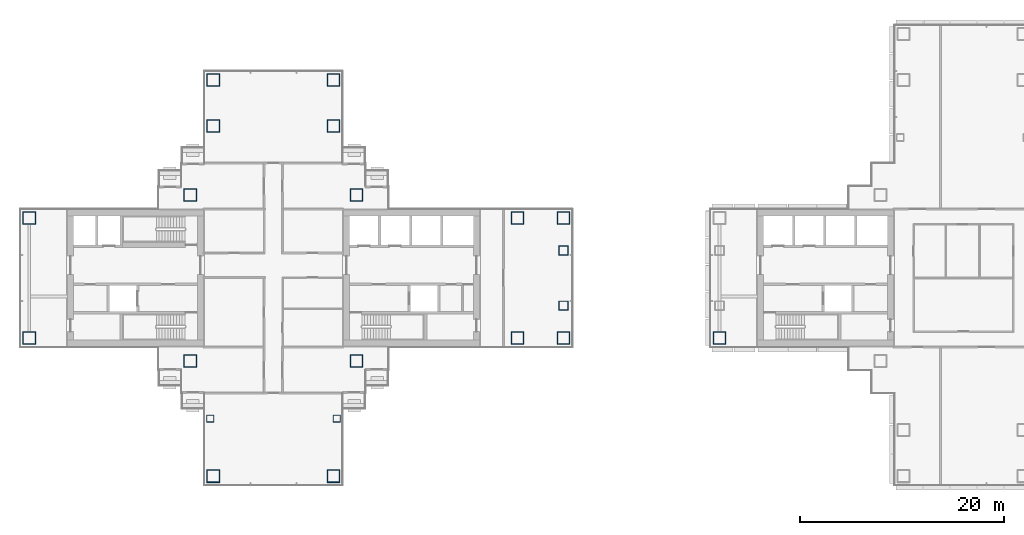
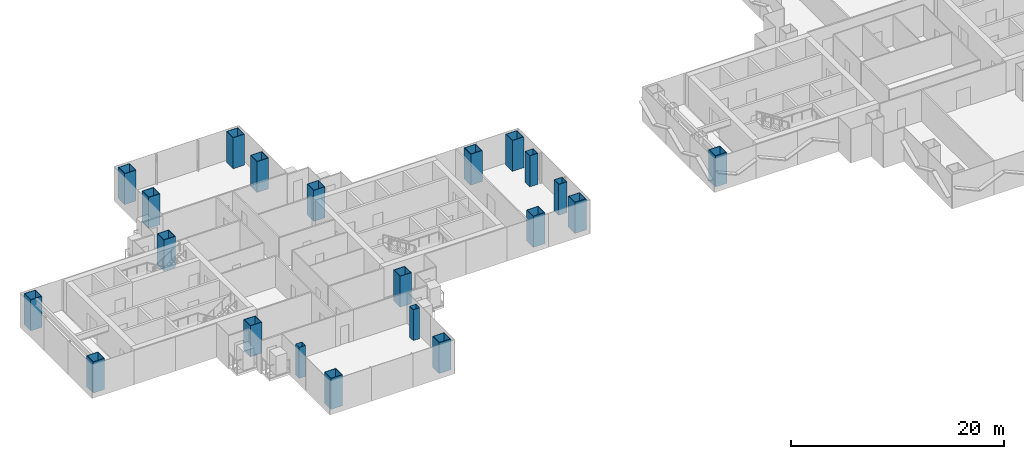
# One storey, part 1 of 20: 21 columns.
"""IFC4 building model written with IfcOpenShell, lengths in metres."""

from ifc_helpers import new_model, si_unit, direction, frame, origin, origin_2d, place, context, subcontext, project, spatial, hollow_rectangle, extrude, material, material_profile, profile_set, type_object, element, save


model = new_model("IFC4")

# Units and contexts
model_context = context("Model", 3, precision=1e-05, world=origin(), true_north=direction((0.0, 1.0)))
body_context = subcontext(model_context, "Body", "Model", "MODEL_VIEW")
ifc_project = project(units=[si_unit("LENGTHUNIT", "METRE"), si_unit("AREAUNIT", "SQUARE_METRE"), si_unit("VOLUMEUNIT", "CUBIC_METRE"), si_unit("PLANEANGLEUNIT", "RADIAN"), si_unit("MASSUNIT", "GRAM", prefix="KILO")], contexts=[model_context])

# Site, building, storey
site_placement = place(None, origin())
site = spatial("IfcSite", under=ifc_project, at=site_placement, CompositionType="ELEMENT")
building_placement = place(site_placement, origin())
building = spatial("IfcBuilding", under=site, at=building_placement, Name="Shamsa Quay Exchange Towers", CompositionType="ELEMENT")
storey_placement = place(building_placement, frame((0.0, 0.0, 101.39990234375)))
storey = spatial("IfcBuildingStorey", under=building, at=storey_placement, Name="L23", CompositionType="ELEMENT", Elevation=101.39990234375)

# Columns
ifc_material_1 = material(Name="Concrete-filled steel tube S355 / C80/95", Category="concrete")
ifc_material_profile_1 = material_profile(ifc_material_1, hollow_rectangle(XDim=1.25, YDim=1.25, WallThickness=0.050048828125, at=origin_2d()), Name="CFT 1250x1250x50")
ifc_profile_set_1 = profile_set([ifc_material_profile_1], Name="Concrete-filled steel tube S355 / C80/95")
column_type_1 = type_object("IfcColumnType", Name="Column CFT 1250x1250x50", PredefinedType="COLUMN", material=ifc_profile_set_1)
for number, where, name in (
    (1, (-25.625, 8.125, 0.0), "Mega column T1-CM01"),
    (2, (-25.625, -8.125, 0.0), "Mega column T1-CM02"),
    (3, (-41.875, 8.125, 0.0), "Mega column T1-CM03"),
    (4, (-41.875, -8.125, 0.0), "Mega column T1-CM04"),
    (5, (-9.875, -5.875, 0.0), "Mega column T1-CM05"),
    (6, (-5.375, -5.875, 0.0), "Mega column T1-CM06"),
    (7, (-9.875, 5.875, 0.0), "Mega column T1-CM07"),
    (8, (-5.375, 5.875, 0.0), "Mega column T1-CM08"),
    (9, (-57.625, -5.875, 0.0), "Mega column T1-CM09"),
    (10, (-57.625, 5.875, 0.0), "Mega column T1-CM11"),
    (11, (-39.625, 14.875, 0.0), "Mega column T1-CM13"),
    (12, (-39.625, 19.375, 0.0), "Mega column T1-CM14"),
    (13, (-27.875, 14.875, 0.0), "Mega column T1-CM16"),
    (14, (-27.875, 19.375, 0.0), "Mega column T1-CM17"),
    (15, (-39.625, -19.375, 0.0), "Mega column T1-CM20"),
    (16, (-27.875, -19.375, 0.0), "Mega column T1-CM23"),
    (17, (9.875, -5.875, 0.0), "Mega column T2-CM19"),
):
    element("IfcColumn", number, at=place(storey_placement, frame(where)), inside=storey, type_object=column_type_1, Name=name, PredefinedType="COLUMN", context=body_context, shape_type="SweptSolid", body=[
        extrude(hollow_rectangle(XDim=1.25, YDim=1.25, WallThickness=0.050048828125, at=origin_2d()), origin(), (0.0, 0.0, 1.0), 3.550048828125),
    ])
ifc_material_2 = material(Name="Concrete-filled steel tube S355 / C60/75", Category="concrete")
ifc_material_profile_2 = material_profile(ifc_material_2, hollow_rectangle(XDim=0.699951171875, YDim=0.699951171875, WallThickness=0.02490234375, at=origin_2d()), Name="CFT 700x700x25")
ifc_profile_set_2 = profile_set([ifc_material_profile_2], Name="Concrete-filled steel tube S355 / C60/75")
column_type_2 = type_object("IfcColumnType", Name="Column CFT 700x700x25", PredefinedType="COLUMN", material=ifc_profile_set_2)
for number, where, name in (
    (18, (-39.9375, -13.75, 0.0), "Perimeter column T1-CP19"),
    (19, (-27.5625, -13.75, 0.0), "Perimeter column T1-CP22"),
):
    element("IfcColumn", number, at=place(storey_placement, frame(where)), inside=storey, type_object=column_type_2, Name=name, PredefinedType="COLUMN", context=body_context, shape_type="SweptSolid", body=[
        extrude(hollow_rectangle(XDim=0.699951171875, YDim=0.699951171875, WallThickness=0.02490234375, at=origin_2d()), origin(), (0.0, 0.0, 1.0), 3.550048828125),
    ])
ifc_material_3 = material(Name="Concrete-filled steel tube S355 / C70/85", Category="concrete")
ifc_material_profile_3 = material_profile(ifc_material_3, hollow_rectangle(XDim=0.89990234375, YDim=0.89990234375, WallThickness=0.035888671875, at=origin_2d()), Name="CFT 900x900x36")
ifc_profile_set_3 = profile_set([ifc_material_profile_3], Name="Concrete-filled steel tube S355 / C70/85")
column_type_3 = type_object("IfcColumnType", Name="Landing column CFT 900x900x36", PredefinedType="COLUMN", material=ifc_profile_set_3)
for number, where, name in (
    (20, (-5.375, -2.699951171875, 0.0), "Landing column T1 S"),
    (21, (-5.375, 2.699951171875, 0.0), "Landing column T1 N"),
):
    element("IfcColumn", number, at=place(storey_placement, frame(where)), inside=storey, type_object=column_type_3, Name=name, PredefinedType="COLUMN", context=body_context, shape_type="SweptSolid", body=[
        extrude(hollow_rectangle(XDim=0.89990234375, YDim=0.89990234375, WallThickness=0.035888671875, at=origin_2d()), origin(), (0.0, 0.0, 1.0), 3.550048828125),
    ])

save(model, "model.ifc")
